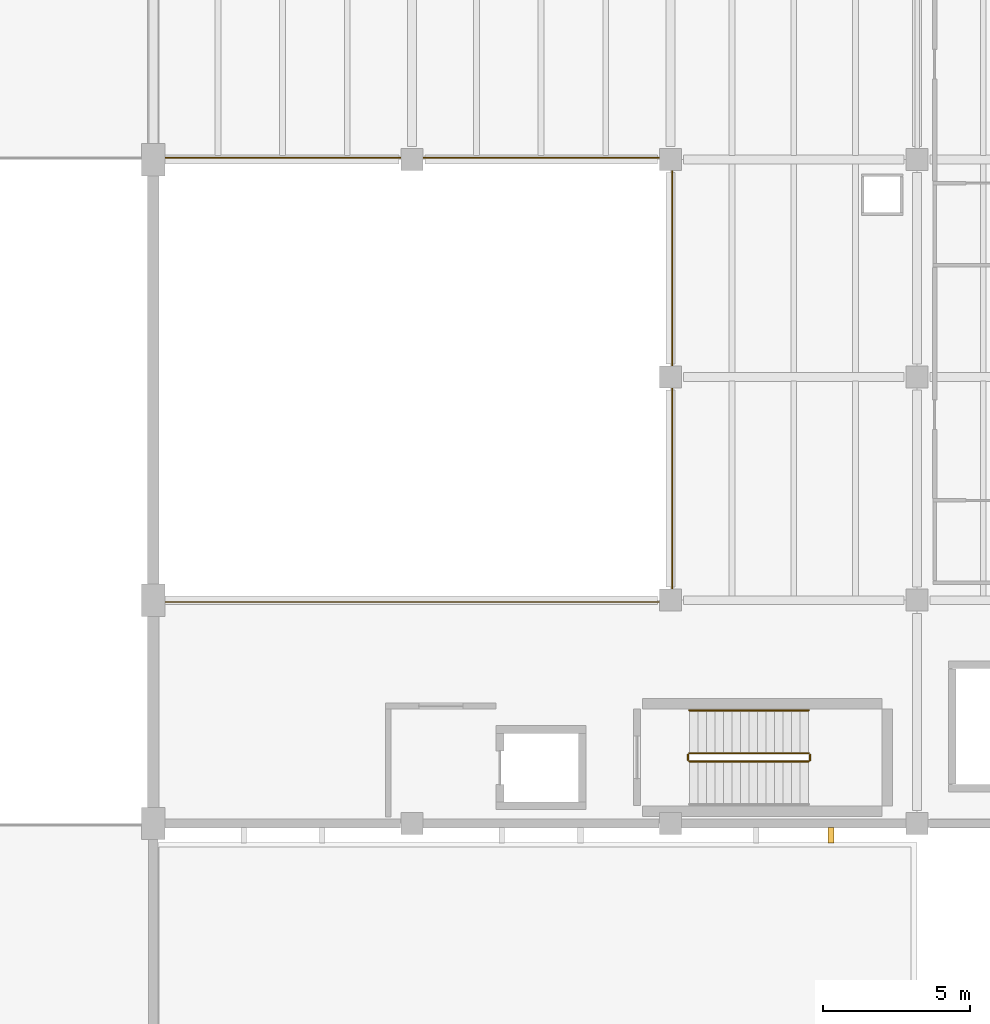
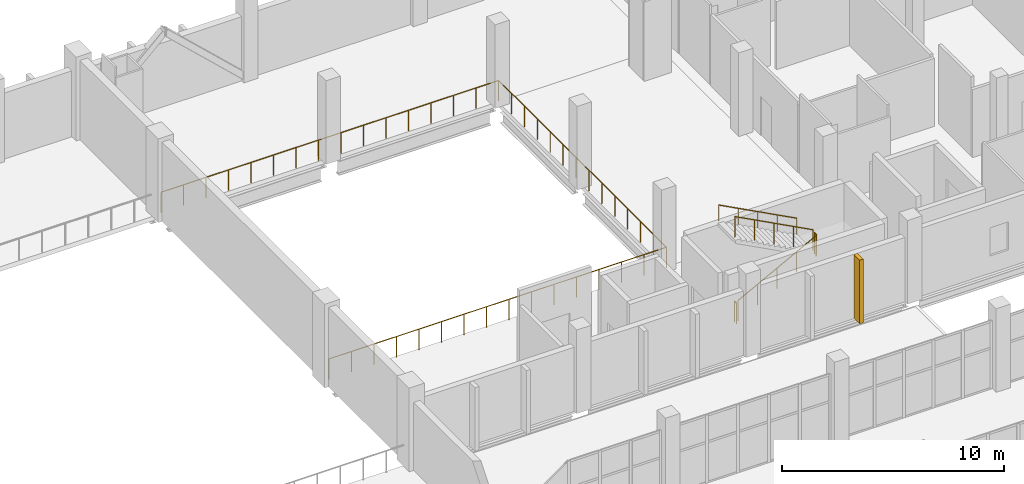
# One storey, part 132 of 136: 6 railings, 1 shading device.
"""IFC4 building model written with IfcOpenShell, lengths in metres."""

from ifc_helpers import new_model, si_unit, direction, frame, origin, origin_2d, place, context, subcontext, project, spatial, rectangle, circle, extrude, material, layer, layer_set, type_object, element, save


model = new_model("IFC4")

# Units and contexts
model_context = context("Model", 3, precision=1e-05, world=origin(), true_north=direction((0.0, 1.0)))
body_context = subcontext(model_context, "Body", "Model", "MODEL_VIEW")
ifc_project = project(units=[si_unit("LENGTHUNIT", "METRE"), si_unit("AREAUNIT", "SQUARE_METRE"), si_unit("VOLUMEUNIT", "CUBIC_METRE"), si_unit("PLANEANGLEUNIT", "RADIAN"), si_unit("MASSUNIT", "GRAM", prefix="KILO")], contexts=[model_context])

# Site, building, storey
site_placement = place(None, origin())
site = spatial("IfcSite", under=ifc_project, at=site_placement, CompositionType="ELEMENT")
building_placement = place(site_placement, origin())
building = spatial("IfcBuilding", under=site, at=building_placement, Name="Shengluoqiao Park Theatre", CompositionType="ELEMENT")
storey_placement = place(building_placement, frame((0.0, 0.0, 10.0)))
storey = spatial("IfcBuildingStorey", under=building, at=storey_placement, Name="L02", CompositionType="ELEMENT", Elevation=10.0)

# Shading device
ifc_material_1 = material(Name="Concrete C45", Category="concrete")
ifc_layer = layer(ifc_material_1, 0.199951171875, Name="Concrete C45")
ifc_layer_set = layer_set([ifc_layer], Name="Concrete C45")
shading_device_type = type_object("IfcShadingDeviceType", Name="ENV-FIN-520x200", PredefinedType="USERDEFINED", material=ifc_layer_set)
shading_device_placement = place(storey_placement, frame((109.4736328125, 83.60009765625, 0.02001953125), z_axis=(0.0, 0.0, 1.0), x_axis=(0.0, -1.0, 0.0)))
element("IfcShadingDevice", 1, at=shading_device_placement, inside=storey, type_object=shading_device_type, Name="L02 Vertical Concrete Acoustic Rib 0083", ObjectType="FIN", PredefinedType="USERDEFINED", context=body_context, shape_type="SweptSolid", body=[
    extrude(rectangle(XDim=0.52001953125, YDim=0.199951171875, at=origin_2d()), origin(), (0.0, 0.0, 1.0), 3.498046875),
])

# Railings
ifc_material_2 = material(Name="Steel Q355", Category="steel")
railing_type_1 = type_object("IfcRailingType", Name="INT-RL-FLY115", PredefinedType="GUARDRAIL", material=ifc_material_2)
railing_1_placement = place(storey_placement, frame((86.5, 91.5400390625, 0.0)))
element("IfcRailing", 2, at=railing_1_placement, inside=storey, type_object=railing_type_1, Name="L02 Stage Fly Gallery Inner Safety Rail 0028", PredefinedType="GUARDRAIL", context=body_context, shape_type="SweptSolid", body=[
    extrude(circle(Radius=0.02392578125, at=origin_2d()), frame((0.0, 0.0, 1.1259765625), z_axis=(1.0, 0.0, 0.0), x_axis=(0.0, 1.0, 0.0)), (0.0, 0.0, 1.0), 17.56005859375),
    extrude(circle(Radius=0.02392578125, at=origin_2d()), frame((17.56005859375, 0.0, 1.1259765625), z_axis=(0.0, 1.0, 0.0), x_axis=(-1.0, 0.0, 0.0)), (0.0, 0.0, 1.0), 15.119873046875),
    extrude(circle(Radius=0.02392578125, at=origin_2d()), frame((17.56005859375, 15.119873046875, 1.1259765625), z_axis=(-1.0, 0.0, 0.0), x_axis=(0.0, -1.0, 0.0)), (0.0, 0.0, 1.0), 17.56005859375),
    extrude(circle(Radius=0.02099609375, at=origin_2d()), origin(), (0.0, 0.0, 1.0), 1.101806640625),
    extrude(circle(Radius=0.02099609375, at=origin_2d()), frame((1.170654296875, 0.0, 0.0)), (0.0, 0.0, 1.0), 1.101806640625),
    extrude(circle(Radius=0.02099609375, at=origin_2d()), frame((2.34130859375, 0.0, 0.0)), (0.0, 0.0, 1.0), 1.101806640625),
    extrude(circle(Radius=0.02099609375, at=origin_2d()), frame((3.511962890625, 0.0, 0.0)), (0.0, 0.0, 1.0), 1.101806640625),
    extrude(circle(Radius=0.02099609375, at=origin_2d()), frame((4.6826171875, 0.0, 0.0)), (0.0, 0.0, 1.0), 1.101806640625),
    extrude(circle(Radius=0.02099609375, at=origin_2d()), frame((5.853271484375, 0.0, 0.0)), (0.0, 0.0, 1.0), 1.101806640625),
    extrude(circle(Radius=0.02099609375, at=origin_2d()), frame((7.02392578125, 0.0, 0.0)), (0.0, 0.0, 1.0), 1.101806640625),
    extrude(circle(Radius=0.02099609375, at=origin_2d()), frame((8.194580078125, 0.0, 0.0)), (0.0, 0.0, 1.0), 1.101806640625),
    extrude(circle(Radius=0.02099609375, at=origin_2d()), frame((9.365478515625, 0.0, 0.0)), (0.0, 0.0, 1.0), 1.101806640625),
    extrude(circle(Radius=0.02099609375, at=origin_2d()), frame((10.5361328125, 0.0, 0.0)), (0.0, 0.0, 1.0), 1.101806640625),
    extrude(circle(Radius=0.02099609375, at=origin_2d()), frame((11.706787109375, 0.0, 0.0)), (0.0, 0.0, 1.0), 1.101806640625),
    extrude(circle(Radius=0.02099609375, at=origin_2d()), frame((12.87744140625, 0.0, 0.0)), (0.0, 0.0, 1.0), 1.101806640625),
    extrude(circle(Radius=0.02099609375, at=origin_2d()), frame((14.048095703125, 0.0, 0.0)), (0.0, 0.0, 1.0), 1.101806640625),
    extrude(circle(Radius=0.02099609375, at=origin_2d()), frame((15.21875, 0.0, 0.0)), (0.0, 0.0, 1.0), 1.101806640625),
    extrude(circle(Radius=0.02099609375, at=origin_2d()), frame((16.389404296875, 0.0, 0.0)), (0.0, 0.0, 1.0), 1.101806640625),
    extrude(circle(Radius=0.02099609375, at=origin_2d()), frame((17.56005859375, 0.0, 0.0)), (0.0, 0.0, 1.0), 1.101806640625),
    extrude(circle(Radius=0.02099609375, at=origin_2d()), frame((17.56005859375, 1.1630859375, 0.0)), (0.0, 0.0, 1.0), 1.101806640625),
    extrude(circle(Radius=0.02099609375, at=origin_2d()), frame((17.56005859375, 2.326171875, 0.0)), (0.0, 0.0, 1.0), 1.101806640625),
    extrude(circle(Radius=0.02099609375, at=origin_2d()), frame((17.56005859375, 3.4892578125, 0.0)), (0.0, 0.0, 1.0), 1.101806640625),
    extrude(circle(Radius=0.02099609375, at=origin_2d()), frame((17.56005859375, 4.65234375, 0.0)), (0.0, 0.0, 1.0), 1.101806640625),
    extrude(circle(Radius=0.02099609375, at=origin_2d()), frame((17.56005859375, 5.8154296875, 0.0)), (0.0, 0.0, 1.0), 1.101806640625),
    extrude(circle(Radius=0.02099609375, at=origin_2d()), frame((17.56005859375, 6.978515625, 0.0)), (0.0, 0.0, 1.0), 1.101806640625),
    extrude(circle(Radius=0.02099609375, at=origin_2d()), frame((17.56005859375, 8.141357421875, 0.0)), (0.0, 0.0, 1.0), 1.101806640625),
    extrude(circle(Radius=0.02099609375, at=origin_2d()), frame((17.56005859375, 9.304443359375, 0.0)), (0.0, 0.0, 1.0), 1.101806640625),
    extrude(circle(Radius=0.02099609375, at=origin_2d()), frame((17.56005859375, 10.467529296875, 0.0)), (0.0, 0.0, 1.0), 1.101806640625),
    extrude(circle(Radius=0.02099609375, at=origin_2d()), frame((17.56005859375, 11.630615234375, 0.0)), (0.0, 0.0, 1.0), 1.101806640625),
    extrude(circle(Radius=0.02099609375, at=origin_2d()), frame((17.56005859375, 12.793701171875, 0.0)), (0.0, 0.0, 1.0), 1.101806640625),
    extrude(circle(Radius=0.02099609375, at=origin_2d()), frame((17.56005859375, 13.956787109375, 0.0)), (0.0, 0.0, 1.0), 1.101806640625),
    extrude(circle(Radius=0.02099609375, at=origin_2d()), frame((17.56005859375, 15.119873046875, 0.0)), (0.0, 0.0, 1.0), 1.101806640625),
    extrude(circle(Radius=0.02099609375, at=origin_2d()), frame((16.389404296875, 15.119873046875, 0.0)), (0.0, 0.0, 1.0), 1.101806640625),
    extrude(circle(Radius=0.02099609375, at=origin_2d()), frame((15.21875, 15.119873046875, 0.0)), (0.0, 0.0, 1.0), 1.101806640625),
    extrude(circle(Radius=0.02099609375, at=origin_2d()), frame((14.048095703125, 15.119873046875, 0.0)), (0.0, 0.0, 1.0), 1.101806640625),
    extrude(circle(Radius=0.02099609375, at=origin_2d()), frame((12.87744140625, 15.119873046875, 0.0)), (0.0, 0.0, 1.0), 1.101806640625),
    extrude(circle(Radius=0.02099609375, at=origin_2d()), frame((11.706787109375, 15.119873046875, 0.0)), (0.0, 0.0, 1.0), 1.101806640625),
    extrude(circle(Radius=0.02099609375, at=origin_2d()), frame((10.5361328125, 15.119873046875, 0.0)), (0.0, 0.0, 1.0), 1.101806640625),
    extrude(circle(Radius=0.02099609375, at=origin_2d()), frame((9.365478515625, 15.119873046875, 0.0)), (0.0, 0.0, 1.0), 1.101806640625),
    extrude(circle(Radius=0.02099609375, at=origin_2d()), frame((8.194580078125, 15.119873046875, 0.0)), (0.0, 0.0, 1.0), 1.101806640625),
    extrude(circle(Radius=0.02099609375, at=origin_2d()), frame((7.02392578125, 15.119873046875, 0.0)), (0.0, 0.0, 1.0), 1.101806640625),
    extrude(circle(Radius=0.02099609375, at=origin_2d()), frame((5.853271484375, 15.119873046875, 0.0)), (0.0, 0.0, 1.0), 1.101806640625),
    extrude(circle(Radius=0.02099609375, at=origin_2d()), frame((4.6826171875, 15.119873046875, 0.0)), (0.0, 0.0, 1.0), 1.101806640625),
    extrude(circle(Radius=0.02099609375, at=origin_2d()), frame((3.511962890625, 15.119873046875, 0.0)), (0.0, 0.0, 1.0), 1.101806640625),
    extrude(circle(Radius=0.02099609375, at=origin_2d()), frame((2.34130859375, 15.119873046875, 0.0)), (0.0, 0.0, 1.0), 1.101806640625),
    extrude(circle(Radius=0.02099609375, at=origin_2d()), frame((1.170654296875, 15.119873046875, 0.0)), (0.0, 0.0, 1.0), 1.101806640625),
    extrude(circle(Radius=0.02099609375, at=origin_2d()), frame((0.0, 15.119873046875, 0.0)), (0.0, 0.0, 1.0), 1.101806640625),
])
ifc_material_3 = material(Name="Painted steel", Category="steel")
railing_type_2 = type_object("IfcRailingType", Name="INT-RL-STGRD", PredefinedType="GUARDRAIL", material=ifc_material_3)
railing_2_placement = place(storey_placement, frame((104.64990234375, 86.110107421875, 0.1533203125)))
element("IfcRailing", 3, at=railing_2_placement, inside=storey, type_object=railing_type_2, Name="L02 ST-05 stair guard 1", PredefinedType="GUARDRAIL", context=body_context, shape_type="SweptSolid", body=[
    extrude(circle(Radius=0.02392578125, at=origin_2d()), frame((0.0, 0.0, 1.1259765625), z_axis=(0.884032182968, 0.0, 0.46742603637), x_axis=(0.0, 1.0, 0.0)), (0.0, 0.0, 1.0), 4.5927734375),
    extrude(circle(Radius=0.02099609375, at=origin_2d()), origin(), (0.0, 0.0, 1.0), 1.101806640625),
    extrude(circle(Radius=0.02099609375, at=origin_2d()), frame((1.01513671875, 0.0, 0.53662109375)), (0.0, 0.0, 1.0), 1.101806640625),
    extrude(circle(Radius=0.02099609375, at=origin_2d()), frame((2.030029296875, 0.0, 1.0732421875)), (0.0, 0.0, 1.0), 1.101806640625),
    extrude(circle(Radius=0.02099609375, at=origin_2d()), frame((3.044921875, 0.0, 1.610107421875)), (0.0, 0.0, 1.0), 1.101806640625),
    extrude(circle(Radius=0.02099609375, at=origin_2d()), frame((4.06005859375, 0.0, 2.146728515625)), (0.0, 0.0, 1.0), 1.101806640625),
])
railing_3_placement = place(storey_placement, frame((108.760009765625, 86.159912109375, 2.300048828125)))
element("IfcRailing", 4, at=railing_3_placement, inside=storey, type_object=railing_type_2, Name="L02 ST-05 stair guard 2", PredefinedType="GUARDRAIL", context=body_context, shape_type="SweptSolid", body=[
    extrude(circle(Radius=0.02392578125, at=origin_2d()), frame((0.0, 0.0, 1.1259765625), z_axis=(0.0, 1.0, 0.0), x_axis=(-1.0, 0.0, 0.0)), (0.0, 0.0, 1.0), 0.18017578125),
    extrude(circle(Radius=0.02099609375, at=origin_2d()), origin(), (0.0, 0.0, 1.0), 1.101806640625),
    extrude(circle(Radius=0.02099609375, at=origin_2d()), frame((0.0, 0.18017578125, 0.0)), (0.0, 0.0, 1.0), 1.101806640625),
])
railing_4_placement = place(storey_placement, frame((108.7099609375, 86.389892578125, 2.453369140625)))
element("IfcRailing", 5, at=railing_4_placement, inside=storey, type_object=railing_type_2, Name="L02 ST-05 stair guard 3", PredefinedType="GUARDRAIL", context=body_context, shape_type="SweptSolid", body=[
    extrude(circle(Radius=0.02392578125, at=origin_2d()), frame((0.0, 0.0, 1.1259765625), z_axis=(-0.884032182968, 0.0, 0.46742603637), x_axis=(0.0, -1.0, 0.0)), (0.0, 0.0, 1.0), 4.5927734375),
    extrude(circle(Radius=0.02099609375, at=origin_2d()), origin(), (0.0, 0.0, 1.0), 1.101806640625),
    extrude(circle(Radius=0.02099609375, at=origin_2d()), frame((-1.01513671875, 0.0, 0.53662109375)), (0.0, 0.0, 1.0), 1.101806640625),
    extrude(circle(Radius=0.02099609375, at=origin_2d()), frame((-2.030029296875, 0.0, 1.0732421875)), (0.0, 0.0, 1.0), 1.101806640625),
    extrude(circle(Radius=0.02099609375, at=origin_2d()), frame((-3.044921875, 0.0, 1.610107421875)), (0.0, 0.0, 1.0), 1.101806640625),
    extrude(circle(Radius=0.02099609375, at=origin_2d()), frame((-4.06005859375, 0.0, 2.146728515625)), (0.0, 0.0, 1.0), 1.101806640625),
])
railing_5_placement = place(storey_placement, frame((104.60009765625, 86.159912109375, 0.0)))
element("IfcRailing", 6, at=railing_5_placement, inside=storey, type_object=railing_type_2, Name="L02 ST-05 stair guard 4", PredefinedType="GUARDRAIL", context=body_context, shape_type="SweptSolid", body=[
    extrude(circle(Radius=0.02392578125, at=origin_2d()), frame((0.0, 0.0, 1.1259765625), z_axis=(0.0, 1.0, 0.0), x_axis=(-1.0, 0.0, 0.0)), (0.0, 0.0, 1.0), 0.18017578125),
    extrude(circle(Radius=0.02099609375, at=origin_2d()), origin(), (0.0, 0.0, 1.0), 1.101806640625),
    extrude(circle(Radius=0.02099609375, at=origin_2d()), frame((0.0, 0.18017578125, 0.0)), (0.0, 0.0, 1.0), 1.101806640625),
])
ifc_material_4 = material(Name="Stainless steel 304", Category="steel")
railing_type_3 = type_object("IfcRailingType", Name="INT-RL-STHR", PredefinedType="HANDRAIL", material=ifc_material_4)
railing_6_placement = place(storey_placement, frame((108.7099609375, 87.85009765625, 2.453369140625)))
element("IfcRailing", 7, at=railing_6_placement, inside=storey, type_object=railing_type_3, Name="L02 ST-05 stair handrail 2", PredefinedType="HANDRAIL", context=body_context, shape_type="SweptSolid", body=[
    extrude(circle(Radius=0.02392578125, at=origin_2d()), frame((0.0, 0.0, 0.8759765625), z_axis=(-0.884032182968, 0.0, 0.46742603637), x_axis=(0.0, -1.0, 0.0)), (0.0, 0.0, 1.0), 4.5927734375),
    extrude(circle(Radius=0.02099609375, at=origin_2d()), origin(), (0.0, 0.0, 1.0), 0.851806640625),
    extrude(circle(Radius=0.02099609375, at=origin_2d()), frame((-1.01513671875, 0.0, 0.53662109375)), (0.0, 0.0, 1.0), 0.851806640625),
    extrude(circle(Radius=0.02099609375, at=origin_2d()), frame((-2.030029296875, 0.0, 1.0732421875)), (0.0, 0.0, 1.0), 0.851806640625),
    extrude(circle(Radius=0.02099609375, at=origin_2d()), frame((-3.044921875, 0.0, 1.610107421875)), (0.0, 0.0, 1.0), 0.851806640625),
    extrude(circle(Radius=0.02099609375, at=origin_2d()), frame((-4.06005859375, 0.0, 2.146728515625)), (0.0, 0.0, 1.0), 0.851806640625),
])

save(model, "model.ifc")
